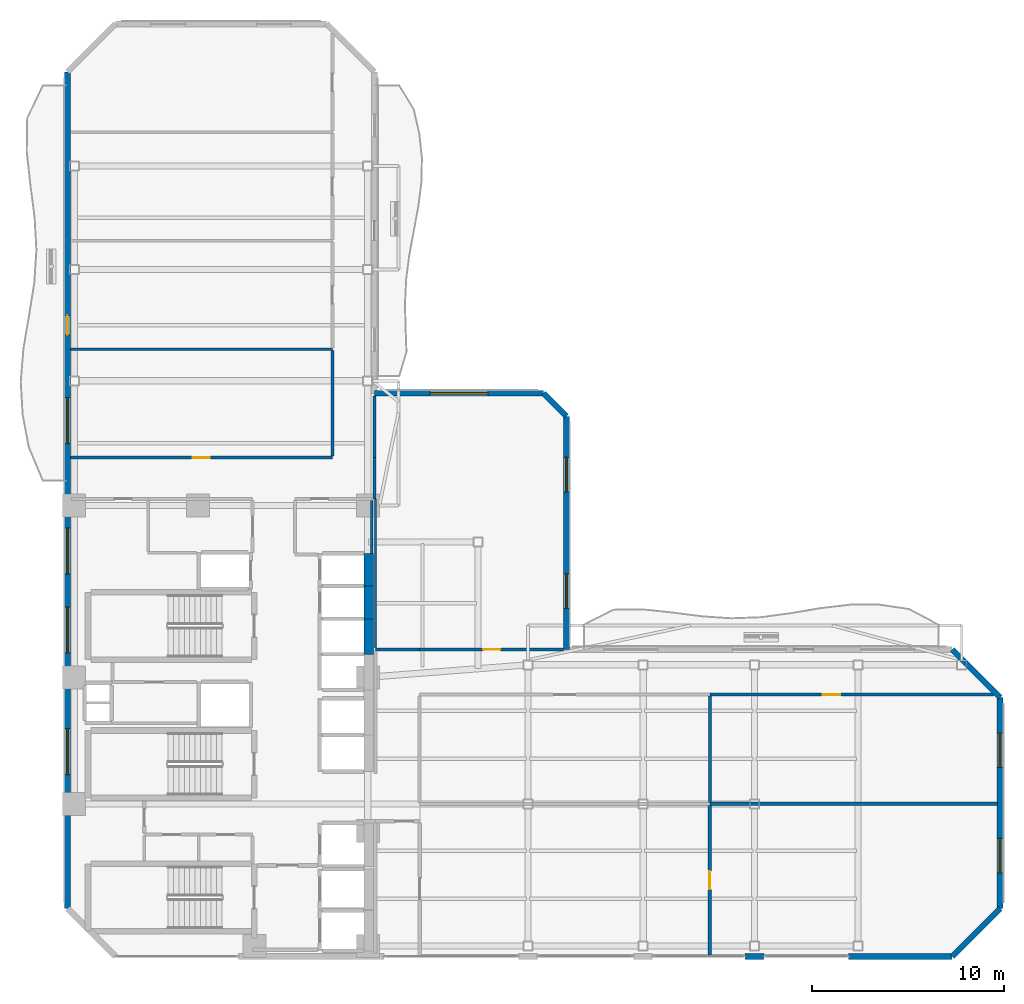
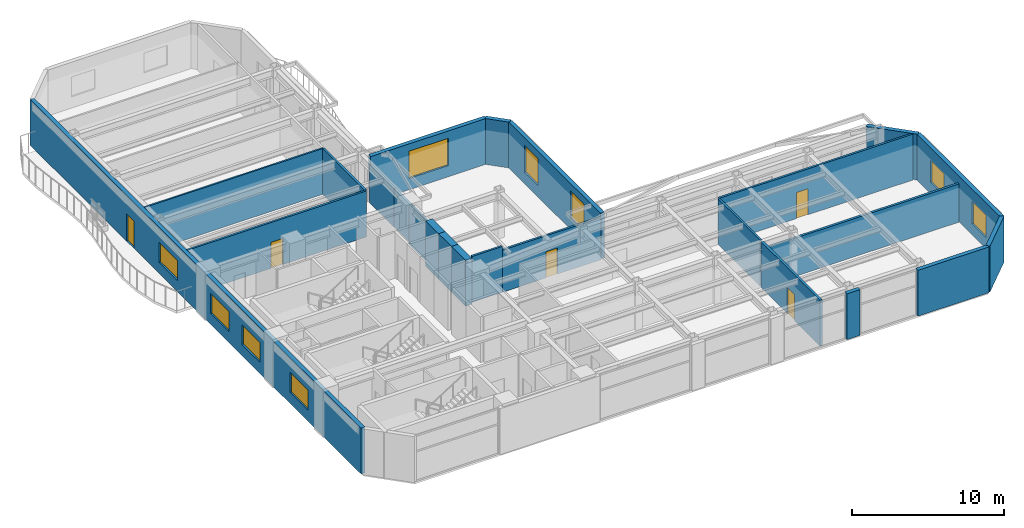
# One storey, part 11 of 15: 25 walls, 9 windows, 5 doors, 14 openings.
"""IFC4 building model written with IfcOpenShell, lengths in metres."""

import ifcopenshell
import ifcopenshell.guid

model = None  # the IFC model being written
_history = None  # IfcOwnerHistory: only IFC2X3 demands one
_inside = {}  # id of a spatial element -> (the spatial element, [elements in it])
_under = {}  # id of a project, library or spatial element -> (it, [spatial elements below it])
_declared = {}  # id of a project -> (the project, [libraries it declares])
_typed = {}  # id of a type object -> (the type object, [elements of that type])
_made_of = {}  # id of a material, layer set ... -> (it, [elements and type objects made of it])


def new_model(schema):
    """Start an empty IFC model of exactly this schema.

    Asked for "IFC4X3", IfcOpenShell would pick the latest addendum, in which some entities
    have other attributes; the version numbers below select the first issue.
    IFC2X3 requires an IfcOwnerHistory on every rooted entity: one is made here for all.
    """
    global model, _history
    if schema == "IFC4X3":
        model = ifcopenshell.file(schema_version=(4, 3, 0, 0))
    else:
        model = ifcopenshell.file(schema=schema)
    _inside.clear()
    _under.clear()
    _declared.clear()
    _typed.clear()
    _made_of.clear()
    _history = None
    if model.schema == "IFC2X3":
        org = make("IfcOrganization", Name="unknown")
        user = make(
            "IfcPersonAndOrganization",
            ThePerson=make("IfcPerson", FamilyName="unknown"),
            TheOrganization=org,
        )
        app = make(
            "IfcApplication",
            ApplicationDeveloper=org,
            Version="unknown",
            ApplicationFullName="unknown",
            ApplicationIdentifier="unknown",
        )
        _history = make(
            "IfcOwnerHistory",
            OwningUser=user,
            OwningApplication=app,
            ChangeAction="ADDED",
            CreationDate=0,
        )
    return model


def make(cls, **values):
    """One entity of the class cls with the attributes given. An attribute that is None is left unset."""
    return model.create_entity(
        cls, **{name: value for name, value in values.items() if value is not None}
    )


def rooted(cls, **values):
    """An entity with a GlobalId (a new one), such as an element, a storey or a relation."""
    return make(cls, GlobalId=ifcopenshell.guid.new(), OwnerHistory=_history, **values)


def si_unit(unit_type, name, prefix=None):
    """IfcSIUnit, for example si_unit("LENGTHUNIT", "METRE", prefix="MILLI")."""
    return make("IfcSIUnit", UnitType=unit_type, Prefix=prefix, Name=name)


def assignment(units):
    """IfcUnitAssignment: the units of a project."""
    return None if units is None else make("IfcUnitAssignment", Units=units)


def point(xyz):
    """IfcCartesianPoint."""
    return None if xyz is None else make("IfcCartesianPoint", Coordinates=xyz)


def direction(xyz):
    """IfcDirection."""
    return None if xyz is None else make("IfcDirection", DirectionRatios=xyz)


def frame(location, z_axis=None, x_axis=None):
    """IfcAxis2Placement3D, a coordinate frame: its origin and axes. An axis left out is left unset."""
    return make(
        "IfcAxis2Placement3D",
        Location=point(location),
        Axis=direction(z_axis),
        RefDirection=direction(x_axis),
    )


def frame_2d(location, x_axis=None):
    """IfcAxis2Placement2D, a coordinate frame in the plane: its origin and x axis."""
    return make(
        "IfcAxis2Placement2D", Location=point(location), RefDirection=direction(x_axis)
    )


def origin():
    """The frame at (0, 0, 0) with its axes left unset."""
    return frame((0.0, 0.0, 0.0))


def place(relative_to, where):
    """IfcLocalPlacement: puts the frame where relative to a parent placement (None: the world)."""
    return make(
        "IfcLocalPlacement", PlacementRelTo=relative_to, RelativePlacement=where
    )


def context(
    kind, dimensions, precision=None, world=None, true_north=None, identifier=None
):
    """IfcGeometricRepresentationContext, for example the 3D "Model" context."""
    return make(
        "IfcGeometricRepresentationContext",
        ContextIdentifier=identifier,
        ContextType=kind,
        CoordinateSpaceDimension=dimensions,
        Precision=precision,
        WorldCoordinateSystem=world,
        TrueNorth=true_north,
    )


def subcontext(parent, identifier, kind, view, scale=None):
    """IfcGeometricRepresentationSubContext, for example "Body" below "Model"."""
    return make(
        "IfcGeometricRepresentationSubContext",
        ContextIdentifier=identifier,
        ContextType=kind,
        ParentContext=parent,
        TargetScale=scale,
        TargetView=view,
    )


def project(units=None, contexts=None):
    """IfcProject with its units and contexts."""
    return rooted(
        "IfcProject",
        Name="project",
        RepresentationContexts=contexts,
        UnitsInContext=assignment(units),
    )


def spatial(cls, under=None, at=None, **own):
    """A site, building, storey or space (cls), placed at a placement, below another one or the project."""
    s = rooted(cls, ObjectPlacement=at, **own)
    if under is not None:
        _under.setdefault(under.id(), (under, []))[1].append(s)
    return s


def profile(cls, at=None, kind="AREA", **sizes):
    """A parametric profile (cls). Its sizes go by their IFC names, for example OverallWidth=200.0."""
    return make(cls, ProfileType=kind, Position=at, **sizes)


def rectangle(**sizes):
    """IfcRectangleProfileDef."""
    return profile("IfcRectangleProfileDef", **sizes)


def extrude(swept, where, along, depth):
    """IfcExtrudedAreaSolid: the profile swept, set in the frame where, extruded along a direction by depth."""
    return make(
        "IfcExtrudedAreaSolid",
        SweptArea=swept,
        Position=where,
        ExtrudedDirection=direction(along),
        Depth=depth,
    )


def shape(context_of_items, identifier, shape_type, items):
    """IfcShapeRepresentation: the items that make up one representation, for example the "Body"."""
    return make(
        "IfcShapeRepresentation",
        ContextOfItems=context_of_items,
        RepresentationIdentifier=identifier,
        RepresentationType=shape_type,
        Items=items,
    )


def material(Name=None, Category=None):
    """IfcMaterial."""
    return make("IfcMaterial", Name=Name, Category=Category)


def layer(
    of_material, thickness, ventilated=None, Name=None, Category=None, Priority=None
):
    """IfcMaterialLayer: one layer of a wall or slab, of a material (None: an air gap)."""
    return make(
        "IfcMaterialLayer",
        Material=of_material,
        LayerThickness=thickness,
        IsVentilated=ventilated,
        Name=Name,
        Category=Category,
        Priority=Priority,
    )


def layer_set(layers, Name=None):
    """IfcMaterialLayerSet."""
    return make("IfcMaterialLayerSet", MaterialLayers=layers, LayerSetName=Name)


def made_of(thing, what):
    """Note that an element or type object is made of a material, layer set ...; save() writes the relation."""
    if what is not None:
        _made_of.setdefault(what.id(), (what, []))[1].append(thing)
    return thing


def type_object(cls, material=None, **own):
    """A type object (cls), such as IfcWallType, which elements share."""
    return made_of(rooted(cls, **own), material)


def element(
    cls,
    number,
    at=None,
    inside=None,
    cuts=None,
    type_object=None,
    material=None,
    context=None,
    identifier="Body",
    shape_type=None,
    held_by="IfcProductDefinitionShape",
    body=None,
    shapes=None,
    **own,
):
    """One element of the class cls, such as IfcWall. Its Tag is "e" and its number.

    at: its placement. inside: the storey or other place that contains it. cuts: it is an
    opening in that element (IfcRelVoidsElement). A single representation is given by context,
    identifier, shape_type and body (its items); several are given by shapes. held_by: the class
    of the entity that holds the representations. save() writes the other relations.
    """
    e = rooted(cls, Tag="e%d" % number, ObjectPlacement=at, **own)
    if body is not None:
        shapes = [shape(context, identifier, shape_type, body)]
    if shapes is not None:
        e.Representation = make(held_by, Representations=shapes)
    if inside is not None:
        _inside.setdefault(inside.id(), (inside, []))[1].append(e)
    if cuts is not None:
        rooted(
            "IfcRelVoidsElement", RelatingBuildingElement=cuts, RelatedOpeningElement=e
        )
    if type_object is not None:
        _typed.setdefault(type_object.id(), (type_object, []))[1].append(e)
    return made_of(e, material)


def fill(opening, filler):
    """IfcRelFillsElement: the door or window that sits in an opening."""
    return rooted(
        "IfcRelFillsElement",
        RelatingOpeningElement=opening,
        RelatedBuildingElement=filler,
    )


def aggregate(whole, parts):
    """IfcRelAggregates: a whole, such as a stair, and the parts it consists of."""
    return rooted("IfcRelAggregates", RelatingObject=whole, RelatedObjects=parts)


def save(model, path):
    """Write the relations noted so far, then the file.

    IfcRelAggregates (storeys below a building ...), IfcRelContainedInSpatialStructure (elements
    in a storey), IfcRelDefinesByType, IfcRelAssociatesMaterial and IfcRelDeclares: one each for
    every whole, place, type object, material and project.
    """
    for whole, parts in _under.values():
        aggregate(whole, parts)
    for where, things in _inside.values():
        rooted(
            "IfcRelContainedInSpatialStructure",
            RelatedElements=things,
            RelatingStructure=where,
        )
    for kind, things in _typed.values():
        rooted("IfcRelDefinesByType", RelatedObjects=things, RelatingType=kind)
    for what, things in _made_of.values():
        rooted("IfcRelAssociatesMaterial", RelatedObjects=things, RelatingMaterial=what)
    for by, libraries in _declared.values():
        rooted("IfcRelDeclares", RelatingContext=by, RelatedDefinitions=libraries)
    model.write(path)


model = new_model("IFC4")

# Units and contexts
model_context = context("Model", 3, precision=1e-05, world=origin(), true_north=direction((0.0, 1.0)))
body_context = subcontext(model_context, "Body", "Model", "MODEL_VIEW")
ifc_project = project(units=[si_unit("LENGTHUNIT", "METRE"), si_unit("AREAUNIT", "SQUARE_METRE"), si_unit("VOLUMEUNIT", "CUBIC_METRE"), si_unit("PLANEANGLEUNIT", "RADIAN"), si_unit("MASSUNIT", "GRAM", prefix="KILO")], contexts=[model_context])

# Site, building, storey
site_placement = place(None, origin())
site = spatial("IfcSite", under=ifc_project, at=site_placement, CompositionType="ELEMENT")
building_placement = place(site_placement, origin())
building = spatial("IfcBuilding", under=site, at=building_placement, Name="Mawjaban Terraces University", CompositionType="ELEMENT")
storey_placement = place(building_placement, frame((0.0, 0.0, 119.0)))
storey = spatial("IfcBuildingStorey", under=building, at=storey_placement, Name="L28", CompositionType="ELEMENT", Elevation=119.0)

# Wall
ifc_material_1 = material(Name="Acoustic masonry blockwork", Category="masonry")
ifc_layer_1 = layer(ifc_material_1, 0.179931640625)
ifc_layer_set_1 = layer_set([ifc_layer_1], Name="Acoustic masonry blockwork")
wall_type_1 = type_object("IfcWallType", Name="AcousticStudioWall_180", PredefinedType="PARTITIONING", material=ifc_layer_set_1)
wall_1_placement = place(storey_placement, frame((70.455078125, 7.949951171875, 0.0), z_axis=(0.0, 0.0, 1.0), x_axis=(-1.0, 0.0, 0.0)))
element("IfcWall", 1, at=wall_1_placement, inside=storey, type_object=wall_type_1, Name="L28 Design Studio 4 Partition 22", PredefinedType="PARTITIONING", context=body_context, shape_type="SweptSolid", body=[
    extrude(rectangle(XDim=14.97509765625, YDim=0.179931640625, at=frame_2d((7.487548828125, 0.0))), origin(), (0.0, 0.0, 1.0), 3.073974609375),
])

# Wall, opening, door
wall_2_placement = place(storey_placement, frame((55.47998046875, 0.090087890625, 0.0), z_axis=(0.0, 0.0, 1.0), x_axis=(0.0, 1.0, 0.0)))
wall_2 = element("IfcWall", 2, at=wall_2_placement, inside=storey, type_object=wall_type_1, Name="L28 Computational Laboratory 2 Partition 43", PredefinedType="PARTITIONING", context=body_context, shape_type="SweptSolid", body=[
    extrude(rectangle(XDim=7.77490234375, YDim=0.179931640625, at=frame_2d((3.887451171875, 0.0))), origin(), (0.0, 0.0, 1.0), 3.68994140625),
])
opening_1_placement = place(wall_2_placement, frame((3.4130859375, 0.0, 0.0)))
opening_1 = element("IfcOpeningElement", 3, at=opening_1_placement, cuts=wall_2, Name="Opening ID-095", PredefinedType="OPENING", context=body_context, shape_type="SweptSolid", body=[
    extrude(rectangle(XDim=0.949951171875, YDim=2.10009765625, at=frame_2d((0.47509765625, 1.050048828125))), frame((0.0, 0.099853515625, 0.0), z_axis=(0.0, -1.0, 0.0), x_axis=(1.0, 0.0, 0.0)), (0.0, 0.0, 1.0), 0.199951171875),
])
ifc_material_2 = material(Name="Powder-coated steel frame and solid acoustic timber leaf", Category="steel")
door_type_1 = type_object("IfcDoorType", Name="StudioDoor_950x2100", OperationType="NOTDEFINED", PredefinedType="DOOR", material=ifc_material_2)
door_1_placement = place(opening_1_placement, origin())
door_1 = element("IfcDoor", 4, at=door_1_placement, inside=storey, type_object=door_type_1, Name="L28 Design Studio 4 Door", OperationType="SINGLE_SWING_RIGHT", OverallHeight=2.10009765625, OverallWidth=0.949951171875, PredefinedType="DOOR", context=body_context, shape_type="SweptSolid", body=[
    extrude(rectangle(XDim=0.949951171875, YDim=2.10009765625, at=frame_2d((0.47509765625, 1.050048828125))), frame((0.0, 0.02490234375, 0.0), z_axis=(0.0, -1.0, 0.0), x_axis=(1.0, 0.0, 0.0)), (0.0, 0.0, 1.0), 0.050048828125),
])
fill(opening_1, door_1)

# Walls
ifc_material_3 = material(Name="Concrete C60/75", Category="concrete")
ifc_layer_2 = layer(ifc_material_3, 0.5)
ifc_layer_set_2 = layer_set([ifc_layer_2], Name="Concrete C60/75")
wall_type_2 = type_object("IfcWallType", Name="CoreShearWall_500", PredefinedType="SHEAR", material=ifc_layer_set_2)
wall_3_placement = place(storey_placement, frame((37.699951171875, 15.75, 0.0), z_axis=(0.0, 0.0, 1.0), x_axis=(0.0, 1.0, 0.0)))
element("IfcWall", 5, at=wall_3_placement, inside=storey, type_object=wall_type_2, Name="L28 Lift OL-2 Hoistway Wall East", PredefinedType="SHEAR", context=body_context, shape_type="SweptSolid", body=[
    extrude(rectangle(XDim=1.85009765625, YDim=0.5, at=frame_2d((0.925048828125, 0.0))), origin(), (0.0, 0.0, 1.0), 3.68994140625),
])
for number, where, z_axis, x_axis, name in (
    (6, (37.699951171875, 17.60009765625, 0.0), (0.0, 0.0, 1.0), (0.0, 1.0, 0.0), "L28 Lift PL-M1 Hoistway Wall East"),
    (7, (37.699951171875, 19.300048828125, 0.0), (0.0, 0.0, 1.0), (0.0, 1.0, 0.0), "L28 Lift PL-M2 Hoistway Wall East"),
):
    element("IfcWall", number, at=place(storey_placement, frame(where, z_axis=z_axis, x_axis=x_axis)), inside=storey, type_object=wall_type_2, Name=name, PredefinedType="SHEAR", context=body_context, shape_type="SweptSolid", body=[
        extrude(rectangle(XDim=1.699951171875, YDim=0.5, at=frame_2d((0.85009765625, 0.0))), origin(), (0.0, 0.0, 1.0), 3.68994140625),
    ])

# Wall, opening, door
ifc_material_4 = material(Name="Fire-rated gypsum board on steel stud", Category="steel")
ifc_layer_3 = layer(ifc_material_4, 0.159912109375)
ifc_layer_set_3 = layer_set([ifc_layer_3], Name="Fire-rated gypsum board on steel stud")
wall_type_3 = type_object("IfcWallType", Name="CorridorPartition_160", PredefinedType="PARTITIONING", material=ifc_layer_set_3)
wall_4_placement = place(storey_placement, frame((35.800048828125, 26.0, 0.0), z_axis=(0.0, 0.0, 1.0), x_axis=(-1.0, 0.0, 0.0)))
wall_4 = element("IfcWall", 8, at=wall_4_placement, inside=storey, type_object=wall_type_3, Name="L28 North Core Cross-Corridor Partition 11", PredefinedType="PARTITIONING", context=body_context, shape_type="SweptSolid", body=[
    extrude(rectangle(XDim=13.655029296875, YDim=0.159912109375, at=frame_2d((6.82763671875, 0.0))), origin(), (0.0, 0.0, 1.0), 3.68994140625),
])
opening_2_placement = place(wall_4_placement, frame((6.376953125, 0.0, 0.0)))
opening_2 = element("IfcOpeningElement", 9, at=opening_2_placement, cuts=wall_4, Name="Opening ID-090", PredefinedType="OPENING", context=body_context, shape_type="SweptSolid", body=[
    extrude(rectangle(XDim=0.89990234375, YDim=2.10009765625, at=frame_2d((0.449951171875, 1.050048828125))), frame((0.0, 0.08984375, 0.0), z_axis=(0.0, -1.0, 0.0), x_axis=(1.0, 0.0, 0.0)), (0.0, 0.0, 1.0), 0.179931640625),
])
door_type_2 = type_object("IfcDoorType", Name="OfficeDoor_900x2100", OperationType="NOTDEFINED", PredefinedType="DOOR", material=ifc_material_2)
door_2_placement = place(opening_2_placement, origin())
door_2 = element("IfcDoor", 10, at=door_2_placement, inside=storey, type_object=door_type_2, Name="L28 Departmental Office 6 Door", OperationType="SINGLE_SWING_RIGHT", OverallHeight=2.10009765625, OverallWidth=0.89990234375, PredefinedType="DOOR", context=body_context, shape_type="SweptSolid", body=[
    extrude(rectangle(XDim=0.89990234375, YDim=2.10009765625, at=frame_2d((0.449951171875, 1.050048828125))), frame((0.0, 0.02490234375, 0.0), z_axis=(0.0, -1.0, 0.0), x_axis=(1.0, 0.0, 0.0)), (0.0, 0.0, 1.0), 0.050048828125),
])
fill(opening_2, door_2)

# Wall
wall_5_placement = place(storey_placement, frame((40.35009765625, 16.0, 0.0), z_axis=(0.0, 0.0, 1.0), x_axis=(-1.0, 0.0, 0.0)))
element("IfcWall", 11, at=wall_5_placement, inside=storey, type_object=wall_type_3, Name="L28 Inner Gallery Link Corridor Partition 18", PredefinedType="PARTITIONING", context=body_context, shape_type="SweptSolid", body=[
    extrude(rectangle(XDim=2.300048828125, YDim=0.159912109375, at=frame_2d((1.14990234375, 0.0))), origin(), (0.0, 0.0, 1.0), 3.68994140625),
])

# Wall, opening, door
wall_6_placement = place(storey_placement, frame((40.35009765625, 16.0, 0.0), z_axis=(0.0, 0.0, 1.0), x_axis=(1.0, 0.0, 0.0)))
wall_6 = element("IfcWall", 12, at=wall_6_placement, inside=storey, type_object=wall_type_3, Name="L28 Terrace Collaborative Study Room Partition 19", PredefinedType="PARTITIONING", context=body_context, shape_type="SweptSolid", body=[
    extrude(rectangle(XDim=7.5087890625, YDim=0.159912109375, at=frame_2d((3.75439453125, 0.0))), origin(), (0.0, 0.0, 1.0), 3.389892578125),
])
opening_3_placement = place(wall_6_placement, frame((3.303955078125, 0.0, 0.0)))
opening_3 = element("IfcOpeningElement", 13, at=opening_3_placement, cuts=wall_6, Name="Opening ID-090", PredefinedType="OPENING", context=body_context, shape_type="SweptSolid", body=[
    extrude(rectangle(XDim=0.89990234375, YDim=2.10009765625, at=frame_2d((0.449951171875, 1.050048828125))), frame((0.0, 0.08984375, 0.0), z_axis=(0.0, -1.0, 0.0), x_axis=(1.0, 0.0, 0.0)), (0.0, 0.0, 1.0), 0.179931640625),
])
door_3_placement = place(opening_3_placement, origin())
door_3 = element("IfcDoor", 14, at=door_3_placement, inside=storey, type_object=door_type_2, Name="L28 Terrace Collaborative Study Room Door", OperationType="SINGLE_SWING_RIGHT", OverallHeight=2.10009765625, OverallWidth=0.89990234375, PredefinedType="DOOR", context=body_context, shape_type="SweptSolid", body=[
    extrude(rectangle(XDim=0.89990234375, YDim=2.10009765625, at=frame_2d((0.449951171875, 1.050048828125))), frame((0.0, 0.02490234375, 0.0), z_axis=(0.0, -1.0, 0.0), x_axis=(1.0, 0.0, 0.0)), (0.0, 0.0, 1.0), 0.050048828125),
])
fill(opening_3, door_3)

wall_7_placement = place(storey_placement, frame((55.47998046875, 13.64990234375, 0.0), z_axis=(0.0, 0.0, 1.0), x_axis=(1.0, 0.0, 0.0)))
wall_7 = element("IfcWall", 15, at=wall_7_placement, inside=storey, type_object=wall_type_3, Name="L28 Inner Terrace Gallery Corridor East Partition 21", PredefinedType="PARTITIONING", context=body_context, shape_type="SweptSolid", body=[
    extrude(rectangle(XDim=14.76513671875, YDim=0.159912109375, at=frame_2d((7.382568359375, 0.0))), origin(), (0.0, 0.0, 1.0), 3.68994140625),
])
opening_4_placement = place(wall_7_placement, frame((5.883056640625, 0.0, 0.0)))
opening_4 = element("IfcOpeningElement", 16, at=opening_4_placement, cuts=wall_7, Name="Opening ID-090", PredefinedType="OPENING", context=body_context, shape_type="SweptSolid", body=[
    extrude(rectangle(XDim=0.89990234375, YDim=2.10009765625, at=frame_2d((0.449951171875, 1.050048828125))), frame((0.0, 0.08984375, 0.0), z_axis=(0.0, -1.0, 0.0), x_axis=(1.0, 0.0, 0.0)), (0.0, 0.0, 1.0), 0.179931640625),
])
door_4_placement = place(opening_4_placement, origin())
door_4 = element("IfcDoor", 17, at=door_4_placement, inside=storey, type_object=door_type_2, Name="L28 Faculty Office 5 Door", OperationType="SINGLE_SWING_LEFT", OverallHeight=2.10009765625, OverallWidth=0.89990234375, PredefinedType="DOOR", context=body_context, shape_type="SweptSolid", body=[
    extrude(rectangle(XDim=0.89990234375, YDim=2.10009765625, at=frame_2d((0.449951171875, 1.050048828125))), frame((0.0, 0.02490234375, 0.0), z_axis=(0.0, -1.0, 0.0), x_axis=(1.0, 0.0, 0.0)), (0.0, 0.0, 1.0), 0.050048828125),
])
fill(opening_4, door_4)

# Walls
wall_8_placement = place(storey_placement, frame((35.800048828125, 31.592041015625, 0.0), z_axis=(0.0, 0.0, 1.0), x_axis=(0.0, -1.0, 0.0)))
element("IfcWall", 18, at=wall_8_placement, inside=storey, type_object=wall_type_3, Name="L28 Inner Terrace Gallery Corridor North Partition 31", PredefinedType="PARTITIONING", context=body_context, shape_type="SweptSolid", body=[
    extrude(rectangle(XDim=5.51708984375, YDim=0.159912109375, at=frame_2d((2.758544921875, 0.0))), origin(), (0.0, 0.0, 1.0), 3.68994140625),
])
wall_9_placement = place(storey_placement, frame((38.0, 23.85009765625, 0.0), z_axis=(0.0, 0.0, 1.0), x_axis=(0.0, 1.0, 0.0)))
element("IfcWall", 19, at=wall_9_placement, inside=storey, type_object=wall_type_3, Name="L28 North Core Cross-Corridor Partition 36", PredefinedType="PARTITIONING", context=body_context, shape_type="SweptSolid", body=[
    extrude(rectangle(XDim=2.14990234375, YDim=0.159912109375, at=frame_2d((1.074951171875, 0.0))), origin(), (0.0, 0.0, 1.0), 3.073974609375),
])
wall_10_placement = place(storey_placement, frame((38.0, 26.0, 0.0), z_axis=(0.0, 0.0, 1.0), x_axis=(0.0, 1.0, 0.0)))
element("IfcWall", 20, at=wall_10_placement, inside=storey, type_object=wall_type_3, Name="L28 Inner Terrace Gallery Corridor North Partition 37", PredefinedType="PARTITIONING", context=body_context, shape_type="SweptSolid", body=[
    extrude(rectangle(XDim=3.205078125, YDim=0.159912109375, at=frame_2d((1.6025390625, 0.0))), origin(), (0.0, 0.0, 1.0), 3.073974609375),
])
ifc_material_5 = material(Name="Insulated terracotta rainscreen on concrete backup C40/50", Category="masonry")
ifc_layer_4 = layer(ifc_material_5, 0.300048828125)
ifc_layer_set_4 = layer_set([ifc_layer_4], Name="Insulated terracotta rainscreen on concrete backup C40/50")
wall_type_4 = type_object("IfcWallType", Name="ExtTerracottaWall_300", PredefinedType="SOLIDWALL", material=ifc_layer_set_4)
wall_11_placement = place(storey_placement, frame((57.300048828125, 0.0, 0.0), z_axis=(0.0, 0.0, 1.0), x_axis=(1.0, 0.0, 0.0)))
element("IfcWall", 21, at=wall_11_placement, inside=storey, type_object=wall_type_4, Name="L28 Exterior Terracotta Pier Wall 1.4", PredefinedType="SOLIDWALL", context=body_context, shape_type="SweptSolid", body=[
    extrude(rectangle(XDim=1.0, YDim=0.300048828125, at=frame_2d((0.5, 0.0))), origin(), (0.0, 0.0, 1.0), 3.68994140625),
])
wall_12_placement = place(storey_placement, frame((62.699951171875, 0.0, 0.0), z_axis=(0.0, 0.0, 1.0), x_axis=(1.0, 0.0, 0.0)))
element("IfcWall", 22, at=wall_12_placement, inside=storey, type_object=wall_type_4, Name="L28 Exterior Terracotta Pier Wall 1.5", PredefinedType="SOLIDWALL", context=body_context, shape_type="SweptSolid", body=[
    extrude(rectangle(XDim=5.400146484375, YDim=0.300048828125, at=frame_2d((2.7001953125, 0.0))), origin(), (0.0, 0.0, 1.0), 3.68994140625),
])
wall_13_placement = place(storey_placement, frame((68.10009765625, 0.0, 0.0), z_axis=(0.0, 0.0, 1.0), x_axis=(0.707106781187, 0.707106781187, 0.0)))
element("IfcWall", 23, at=wall_13_placement, inside=storey, type_object=wall_type_4, Name="L28 Exterior Terracotta Wall 2", PredefinedType="SOLIDWALL", context=body_context, shape_type="SweptSolid", body=[
    extrude(rectangle(XDim=3.53564453125, YDim=0.300048828125, at=frame_2d((1.767822265625, 0.0))), origin(), (0.0, 0.0, 1.0), 3.68994140625),
])

# Wall, openings, windows
wall_14_placement = place(storey_placement, frame((70.60009765625, 2.5, 0.0), z_axis=(0.0, 0.0, 1.0), x_axis=(0.0, 1.0, 0.0)))
wall_14 = element("IfcWall", 24, at=wall_14_placement, inside=storey, type_object=wall_type_4, Name="L28 Exterior Terracotta Wall 3", PredefinedType="SOLIDWALL", context=body_context, shape_type="SweptSolid", body=[
    extrude(rectangle(XDim=11.0, YDim=0.300048828125, at=frame_2d((5.5, 0.0))), origin(), (0.0, 0.0, 1.0), 3.68994140625),
])
opening_5_placement = place(wall_14_placement, frame((1.85009765625, 0.0, 0.89990234375)))
opening_5 = element("IfcOpeningElement", 25, at=opening_5_placement, cuts=wall_14, Name="Opening W-07", PredefinedType="OPENING", context=body_context, shape_type="SweptSolid", body=[
    extrude(rectangle(XDim=1.800048828125, YDim=1.800048828125, at=frame_2d((0.89990234375, 0.89990234375))), frame((0.0, 0.159912109375, 0.0), z_axis=(0.0, -1.0, 0.0), x_axis=(1.0, 0.0, 0.0)), (0.0, 0.0, 1.0), 0.320068359375),
])
opening_6_placement = place(wall_14_placement, frame((7.35009765625, 0.0, 0.89990234375)))
opening_6 = element("IfcOpeningElement", 26, at=opening_6_placement, cuts=wall_14, Name="Opening W-07", PredefinedType="OPENING", context=body_context, shape_type="SweptSolid", body=[
    extrude(rectangle(XDim=1.800048828125, YDim=1.800048828125, at=frame_2d((0.89990234375, 0.89990234375))), frame((0.0, 0.159912109375, 0.0), z_axis=(0.0, -1.0, 0.0), x_axis=(1.0, 0.0, 0.0)), (0.0, 0.0, 1.0), 0.320068359375),
])
ifc_material_6 = material(Name="Low-E solar-control double glazing in thermally broken aluminium frame", Category="aluminium")
window_type_1 = type_object("IfcWindowType", Name="Win_1800x1800", PartitioningType="SINGLE_PANEL", PredefinedType="WINDOW", material=ifc_material_6)
window_1_placement = place(opening_5_placement, origin())
window_1 = element("IfcWindow", 27, at=window_1_placement, inside=storey, type_object=window_type_1, Name="L28 Facade Window 3.1", OverallHeight=1.800048828125, OverallWidth=1.800048828125, PartitioningType="SINGLE_PANEL", PredefinedType="WINDOW", context=body_context, shape_type="SweptSolid", body=[
    extrude(rectangle(XDim=1.800048828125, YDim=1.800048828125, at=frame_2d((0.89990234375, 0.89990234375))), frame((0.0, 0.030029296875, 0.0), z_axis=(0.0, -1.0, 0.0), x_axis=(1.0, 0.0, 0.0)), (0.0, 0.0, 1.0), 0.06005859375),
])
fill(opening_5, window_1)
window_2_placement = place(opening_6_placement, origin())
window_2 = element("IfcWindow", 28, at=window_2_placement, inside=storey, type_object=window_type_1, Name="L28 Facade Window 3.2", OverallHeight=1.800048828125, OverallWidth=1.800048828125, PartitioningType="SINGLE_PANEL", PredefinedType="WINDOW", context=body_context, shape_type="SweptSolid", body=[
    extrude(rectangle(XDim=1.800048828125, YDim=1.800048828125, at=frame_2d((0.89990234375, 0.89990234375))), frame((0.0, 0.030029296875, 0.0), z_axis=(0.0, -1.0, 0.0), x_axis=(1.0, 0.0, 0.0)), (0.0, 0.0, 1.0), 0.06005859375),
])
fill(opening_6, window_2)

# Wall
wall_15_placement = place(storey_placement, frame((70.60009765625, 13.5, 0.0), z_axis=(0.0, 0.0, 1.0), x_axis=(-0.707106781187, 0.707106781187, 0.0)))
element("IfcWall", 29, at=wall_15_placement, inside=storey, type_object=wall_type_4, Name="L28 Exterior Terracotta Wall 4", PredefinedType="SOLIDWALL", context=body_context, shape_type="SweptSolid", body=[
    extrude(rectangle(XDim=3.53564453125, YDim=0.300048828125, at=frame_2d((1.767822265625, 0.0))), origin(), (0.0, 0.0, 1.0), 3.68994140625),
])

# Wall, openings, windows
wall_16_placement = place(storey_placement, frame((48.00390625, 16.0, 0.0), z_axis=(0.0, 0.0, 1.0), x_axis=(0.0, 1.0, 0.0)))
wall_16 = element("IfcWall", 30, at=wall_16_placement, inside=storey, type_object=wall_type_4, Name="L28 Exterior Terracotta Wall 6", PredefinedType="SOLIDWALL", context=body_context, shape_type="SweptSolid", body=[
    extrude(rectangle(XDim=12.14990234375, YDim=0.300048828125, at=frame_2d((6.074951171875, 0.0))), origin(), (0.0, 0.0, 1.0), 3.68994140625),
])
opening_7_placement = place(wall_16_placement, frame((2.136962890625, 0.0, 0.89990234375)))
opening_7 = element("IfcOpeningElement", 31, at=opening_7_placement, cuts=wall_16, Name="Opening W-10", PredefinedType="OPENING", context=body_context, shape_type="SweptSolid", body=[
    extrude(rectangle(XDim=1.800048828125, YDim=2.199951171875, at=frame_2d((0.89990234375, 1.10009765625))), frame((0.0, 0.159912109375, 0.0), z_axis=(0.0, -1.0, 0.0), x_axis=(1.0, 0.0, 0.0)), (0.0, 0.0, 1.0), 0.320068359375),
])
opening_8_placement = place(wall_16_placement, frame((8.2119140625, 0.0, 0.89990234375)))
opening_8 = element("IfcOpeningElement", 32, at=opening_8_placement, cuts=wall_16, Name="Opening W-10", PredefinedType="OPENING", context=body_context, shape_type="SweptSolid", body=[
    extrude(rectangle(XDim=1.800048828125, YDim=2.199951171875, at=frame_2d((0.89990234375, 1.10009765625))), frame((0.0, 0.159912109375, 0.0), z_axis=(0.0, -1.0, 0.0), x_axis=(1.0, 0.0, 0.0)), (0.0, 0.0, 1.0), 0.320068359375),
])
window_type_2 = type_object("IfcWindowType", Name="Win_1800x2200", PartitioningType="SINGLE_PANEL", PredefinedType="WINDOW", material=ifc_material_6)
window_3_placement = place(opening_7_placement, origin())
window_3 = element("IfcWindow", 33, at=window_3_placement, inside=storey, type_object=window_type_2, Name="L28 Facade Window 6.1", OverallHeight=2.199951171875, OverallWidth=1.800048828125, PartitioningType="SINGLE_PANEL", PredefinedType="WINDOW", context=body_context, shape_type="SweptSolid", body=[
    extrude(rectangle(XDim=1.800048828125, YDim=2.199951171875, at=frame_2d((0.89990234375, 1.10009765625))), frame((0.0, 0.030029296875, 0.0), z_axis=(0.0, -1.0, 0.0), x_axis=(1.0, 0.0, 0.0)), (0.0, 0.0, 1.0), 0.06005859375),
])
fill(opening_7, window_3)
window_4_placement = place(opening_8_placement, origin())
window_4 = element("IfcWindow", 34, at=window_4_placement, inside=storey, type_object=window_type_2, Name="L28 Facade Window 6.2", OverallHeight=2.199951171875, OverallWidth=1.800048828125, PartitioningType="SINGLE_PANEL", PredefinedType="WINDOW", context=body_context, shape_type="SweptSolid", body=[
    extrude(rectangle(XDim=1.800048828125, YDim=2.199951171875, at=frame_2d((0.89990234375, 1.10009765625))), frame((0.0, 0.030029296875, 0.0), z_axis=(0.0, -1.0, 0.0), x_axis=(1.0, 0.0, 0.0)), (0.0, 0.0, 1.0), 0.06005859375),
])
fill(opening_8, window_4)

# Wall
wall_17_placement = place(storey_placement, frame((48.00390625, 28.14990234375, 0.0), z_axis=(0.0, 0.0, 1.0), x_axis=(-0.707034851297, 0.707178703759, 0.0)))
element("IfcWall", 35, at=wall_17_placement, inside=storey, type_object=wall_type_4, Name="L28 Exterior Terracotta Wall 7", PredefinedType="SOLIDWALL", context=body_context, shape_type="SweptSolid", body=[
    extrude(rectangle(XDim=1.697265625, YDim=0.300048828125, at=frame_2d((0.8486328125, 0.0))), origin(), (0.0, 0.0, 1.0), 3.68994140625),
])

# Wall, opening, window
wall_18_placement = place(storey_placement, frame((46.803955078125, 29.35009765625, 0.0), z_axis=(0.0, 0.0, 1.0), x_axis=(-1.0, 0.0, 0.0)))
wall_18 = element("IfcWall", 36, at=wall_18_placement, inside=storey, type_object=wall_type_4, Name="L28 Exterior Terracotta Wall 8", PredefinedType="SOLIDWALL", context=body_context, shape_type="SweptSolid", body=[
    extrude(rectangle(XDim=8.803955078125, YDim=0.300048828125, at=frame_2d((4.40185546875, 0.0))), origin(), (0.0, 0.0, 1.0), 3.68994140625),
])
opening_9_placement = place(wall_18_placement, frame((2.902099609375, 0.0, 0.89990234375)))
opening_9 = element("IfcOpeningElement", 37, at=opening_9_placement, cuts=wall_18, Name="Opening W-12", PredefinedType="OPENING", context=body_context, shape_type="SweptSolid", body=[
    extrude(rectangle(XDim=3.0, YDim=2.199951171875, at=frame_2d((1.5, 1.10009765625))), frame((0.0, 0.159912109375, 0.0), z_axis=(0.0, -1.0, 0.0), x_axis=(1.0, 0.0, 0.0)), (0.0, 0.0, 1.0), 0.320068359375),
])
window_type_3 = type_object("IfcWindowType", Name="Win_3000x2200", PartitioningType="SINGLE_PANEL", PredefinedType="WINDOW", material=ifc_material_6)
window_5_placement = place(opening_9_placement, origin())
window_5 = element("IfcWindow", 38, at=window_5_placement, inside=storey, type_object=window_type_3, Name="L28 Facade Window 8.1", OverallHeight=2.199951171875, OverallWidth=3.0, PartitioningType="SINGLE_PANEL", PredefinedType="WINDOW", context=body_context, shape_type="SweptSolid", body=[
    extrude(rectangle(XDim=3.0, YDim=2.199951171875, at=frame_2d((1.5, 1.10009765625))), frame((0.0, 0.030029296875, 0.0), z_axis=(0.0, -1.0, 0.0), x_axis=(1.0, 0.0, 0.0)), (0.0, 0.0, 1.0), 0.06005859375),
])
fill(opening_9, window_5)

# Wall, openings, door, windows
wall_19_placement = place(storey_placement, frame((22.0, 46.10009765625, 0.0), z_axis=(0.0, 0.0, 1.0), x_axis=(0.0, -1.0, 0.0)))
wall_19 = element("IfcWall", 39, at=wall_19_placement, inside=storey, type_object=wall_type_4, Name="L28 Exterior Terracotta Wall 13", PredefinedType="SOLIDWALL", context=body_context, shape_type="SweptSolid", body=[
    extrude(rectangle(XDim=43.60009765625, YDim=0.300048828125, at=frame_2d((21.800048828125, 0.0))), origin(), (0.0, 0.0, 1.0), 3.68994140625),
])
opening_10_placement = place(wall_19_placement, frame((12.699951171875, 0.0, 0.0)))
opening_10 = element("IfcOpeningElement", 40, at=opening_10_placement, cuts=wall_19, Name="Opening BD-100", PredefinedType="OPENING", context=body_context, shape_type="SweptSolid", body=[
    extrude(rectangle(XDim=1.0, YDim=2.199951171875, at=frame_2d((0.5, 1.10009765625))), frame((0.0, 0.159912109375, 0.0), z_axis=(0.0, -1.0, 0.0), x_axis=(1.0, 0.0, 0.0)), (0.0, 0.0, 1.0), 0.320068359375),
])
opening_11_placement = place(wall_19_placement, frame((16.97509765625, 0.0, 0.89990234375)))
opening_11 = element("IfcOpeningElement", 41, at=opening_11_placement, cuts=wall_19, Name="Opening W-05", PredefinedType="OPENING", context=body_context, shape_type="SweptSolid", body=[
    extrude(rectangle(XDim=2.39990234375, YDim=1.60009765625, at=frame_2d((1.199951171875, 0.800048828125))), frame((0.0, 0.159912109375, 0.0), z_axis=(0.0, -1.0, 0.0), x_axis=(1.0, 0.0, 0.0)), (0.0, 0.0, 1.0), 0.320068359375),
])
opening_12_placement = place(wall_19_placement, frame((23.77490234375, 0.0, 0.89990234375)))
opening_12 = element("IfcOpeningElement", 42, at=opening_12_placement, cuts=wall_19, Name="Opening W-05", PredefinedType="OPENING", context=body_context, shape_type="SweptSolid", body=[
    extrude(rectangle(XDim=2.39990234375, YDim=1.60009765625, at=frame_2d((1.199951171875, 0.800048828125))), frame((0.0, 0.159912109375, 0.0), z_axis=(0.0, -1.0, 0.0), x_axis=(1.0, 0.0, 0.0)), (0.0, 0.0, 1.0), 0.320068359375),
])
opening_13_placement = place(wall_19_placement, frame((27.875, 0.0, 0.89990234375)))
opening_13 = element("IfcOpeningElement", 43, at=opening_13_placement, cuts=wall_19, Name="Opening W-05", PredefinedType="OPENING", context=body_context, shape_type="SweptSolid", body=[
    extrude(rectangle(XDim=2.39990234375, YDim=1.60009765625, at=frame_2d((1.199951171875, 0.800048828125))), frame((0.0, 0.159912109375, 0.0), z_axis=(0.0, -1.0, 0.0), x_axis=(1.0, 0.0, 0.0)), (0.0, 0.0, 1.0), 0.320068359375),
])
opening_14_placement = place(wall_19_placement, frame((34.22509765625, 0.0, 0.89990234375)))
opening_14 = element("IfcOpeningElement", 44, at=opening_14_placement, cuts=wall_19, Name="Opening W-05", PredefinedType="OPENING", context=body_context, shape_type="SweptSolid", body=[
    extrude(rectangle(XDim=2.39990234375, YDim=1.60009765625, at=frame_2d((1.199951171875, 0.800048828125))), frame((0.0, 0.159912109375, 0.0), z_axis=(0.0, -1.0, 0.0), x_axis=(1.0, 0.0, 0.0)), (0.0, 0.0, 1.0), 0.320068359375),
])
ifc_material_7 = material(Name="Thermally broken anodised aluminium and laminated safety glass", Category="aluminium")
door_type_3 = type_object("IfcDoorType", Name="BalconyGlazedDoor_1000x2200", OperationType="NOTDEFINED", PredefinedType="DOOR", material=ifc_material_7)
door_5_placement = place(opening_10_placement, origin())
door_5 = element("IfcDoor", 45, at=door_5_placement, inside=storey, type_object=door_type_3, Name="L28 Balcony Access Door west", OperationType="SINGLE_SWING_LEFT", OverallHeight=2.199951171875, OverallWidth=1.0, PredefinedType="DOOR", context=body_context, shape_type="SweptSolid", body=[
    extrude(rectangle(XDim=1.0, YDim=2.199951171875, at=frame_2d((0.5, 1.10009765625))), frame((0.0, 0.02490234375, 0.0), z_axis=(0.0, -1.0, 0.0), x_axis=(1.0, 0.0, 0.0)), (0.0, 0.0, 1.0), 0.050048828125),
])
fill(opening_10, door_5)
window_type_4 = type_object("IfcWindowType", Name="Win_2400x1600", PartitioningType="SINGLE_PANEL", PredefinedType="WINDOW", material=ifc_material_6)
window_6_placement = place(opening_11_placement, origin())
window_6 = element("IfcWindow", 46, at=window_6_placement, inside=storey, type_object=window_type_4, Name="L28 Facade Window 13.4", OverallHeight=1.60009765625, OverallWidth=2.39990234375, PartitioningType="SINGLE_PANEL", PredefinedType="WINDOW", context=body_context, shape_type="SweptSolid", body=[
    extrude(rectangle(XDim=2.39990234375, YDim=1.60009765625, at=frame_2d((1.199951171875, 0.800048828125))), frame((0.0, 0.030029296875, 0.0), z_axis=(0.0, -1.0, 0.0), x_axis=(1.0, 0.0, 0.0)), (0.0, 0.0, 1.0), 0.06005859375),
])
fill(opening_11, window_6)
window_7_placement = place(opening_12_placement, origin())
window_7 = element("IfcWindow", 47, at=window_7_placement, inside=storey, type_object=window_type_4, Name="L28 Facade Window 13.5", OverallHeight=1.60009765625, OverallWidth=2.39990234375, PartitioningType="SINGLE_PANEL", PredefinedType="WINDOW", context=body_context, shape_type="SweptSolid", body=[
    extrude(rectangle(XDim=2.39990234375, YDim=1.60009765625, at=frame_2d((1.199951171875, 0.800048828125))), frame((0.0, 0.030029296875, 0.0), z_axis=(0.0, -1.0, 0.0), x_axis=(1.0, 0.0, 0.0)), (0.0, 0.0, 1.0), 0.06005859375),
])
fill(opening_12, window_7)
window_8_placement = place(opening_13_placement, origin())
window_8 = element("IfcWindow", 48, at=window_8_placement, inside=storey, type_object=window_type_4, Name="L28 Facade Window 13.6", OverallHeight=1.60009765625, OverallWidth=2.39990234375, PartitioningType="SINGLE_PANEL", PredefinedType="WINDOW", context=body_context, shape_type="SweptSolid", body=[
    extrude(rectangle(XDim=2.39990234375, YDim=1.60009765625, at=frame_2d((1.199951171875, 0.800048828125))), frame((0.0, 0.030029296875, 0.0), z_axis=(0.0, -1.0, 0.0), x_axis=(1.0, 0.0, 0.0)), (0.0, 0.0, 1.0), 0.06005859375),
])
fill(opening_13, window_8)
window_9_placement = place(opening_14_placement, origin())
window_9 = element("IfcWindow", 49, at=window_9_placement, inside=storey, type_object=window_type_4, Name="L28 Facade Window 13.7", OverallHeight=1.60009765625, OverallWidth=2.39990234375, PartitioningType="SINGLE_PANEL", PredefinedType="WINDOW", context=body_context, shape_type="SweptSolid", body=[
    extrude(rectangle(XDim=2.39990234375, YDim=1.60009765625, at=frame_2d((1.199951171875, 0.800048828125))), frame((0.0, 0.030029296875, 0.0), z_axis=(0.0, -1.0, 0.0), x_axis=(1.0, 0.0, 0.0)), (0.0, 0.0, 1.0), 0.06005859375),
])
fill(opening_14, window_9)

# Walls
ifc_material_8 = material(Name="Moisture-resistant gypsum board on steel stud", Category="steel")
ifc_layer_5 = layer(ifc_material_8, 0.14501953125)
ifc_layer_set_5 = layer_set([ifc_layer_5], Name="Moisture-resistant gypsum board on steel stud")
wall_type_5 = type_object("IfcWallType", Name="LabPartition_145", PredefinedType="PARTITIONING", material=ifc_layer_set_5)
wall_20_placement = place(storey_placement, frame((55.47998046875, 8.034912109375, 0.0), z_axis=(0.0, 0.0, 1.0), x_axis=(0.0, 1.0, 0.0)))
element("IfcWall", 50, at=wall_20_placement, inside=storey, type_object=wall_type_5, Name="L28 Teaching Laboratory 3 Partition 44", PredefinedType="PARTITIONING", context=body_context, shape_type="SweptSolid", body=[
    extrude(rectangle(XDim=5.5400390625, YDim=0.14501953125, at=frame_2d((2.77001953125, 0.0))), origin(), (0.0, 0.0, 1.0), 3.68994140625),
])
ifc_material_9 = material(Name="Gypsum plasterboard on steel stud", Category="steel")
ifc_layer_6 = layer(ifc_material_9, 0.125)
ifc_layer_set_6 = layer_set([ifc_layer_6], Name="Gypsum plasterboard on steel stud")
wall_type_6 = type_object("IfcWallType", Name="OfficePartition_125", PredefinedType="PARTITIONING", material=ifc_layer_set_6)
wall_21_placement = place(storey_placement, frame((35.800048828125, 31.64990234375, 0.0), z_axis=(0.0, 0.0, 1.0), x_axis=(-1.0, 0.0, 0.0)))
element("IfcWall", 51, at=wall_21_placement, inside=storey, type_object=wall_type_6, Name="L28 Departmental Office 6 Partition 12", PredefinedType="PARTITIONING", context=body_context, shape_type="SweptSolid", body=[
    extrude(rectangle(XDim=13.655029296875, YDim=0.125, at=frame_2d((6.82763671875, 0.0))), origin(), (0.0, 0.0, 1.0), 3.68994140625),
])
wall_22_placement = place(storey_placement, frame((37.85009765625, 21.0, 0.0), z_axis=(0.0, 0.0, 1.0), x_axis=(0.0, 1.0, 0.0)))
element("IfcWall", 52, at=wall_22_placement, inside=storey, type_object=wall_type_6, Name="L28 Departmental Resource Seminar Room Partition 35", PredefinedType="PARTITIONING", context=body_context, shape_type="SweptSolid", body=[
    extrude(rectangle(XDim=2.77490234375, YDim=0.125, at=frame_2d((1.387451171875, 0.0))), origin(), (0.0, 0.0, 1.0), 3.073974609375),
])
ifc_material_10 = material(Name="Acoustic operable panel partition", Category="masonry")
ifc_layer_7 = layer(ifc_material_10, 0.110107421875)
ifc_layer_set_7 = layer_set([ifc_layer_7], Name="Acoustic operable panel partition")
wall_type_7 = type_object("IfcWallType", Name="OperableSeminarWall_110", PredefinedType="MOVABLE", material=ifc_layer_set_7)
wall_23_placement = place(storey_placement, frame((38.050048828125, 23.85009765625, 0.0), z_axis=(0.0, 0.0, 1.0), x_axis=(0.0, -1.0, 0.0)))
element("IfcWall", 53, at=wall_23_placement, inside=storey, type_object=wall_type_7, Name="L28 Terrace Collaborative Study Room Partition 40", PredefinedType="MOVABLE", context=body_context, shape_type="SweptSolid", body=[
    extrude(rectangle(XDim=7.775146484375, YDim=0.110107421875, at=frame_2d((3.8876953125, 0.0))), origin(), (0.0, 0.0, 1.0), 3.073974609375),
])

save(model, "model.ifc")
